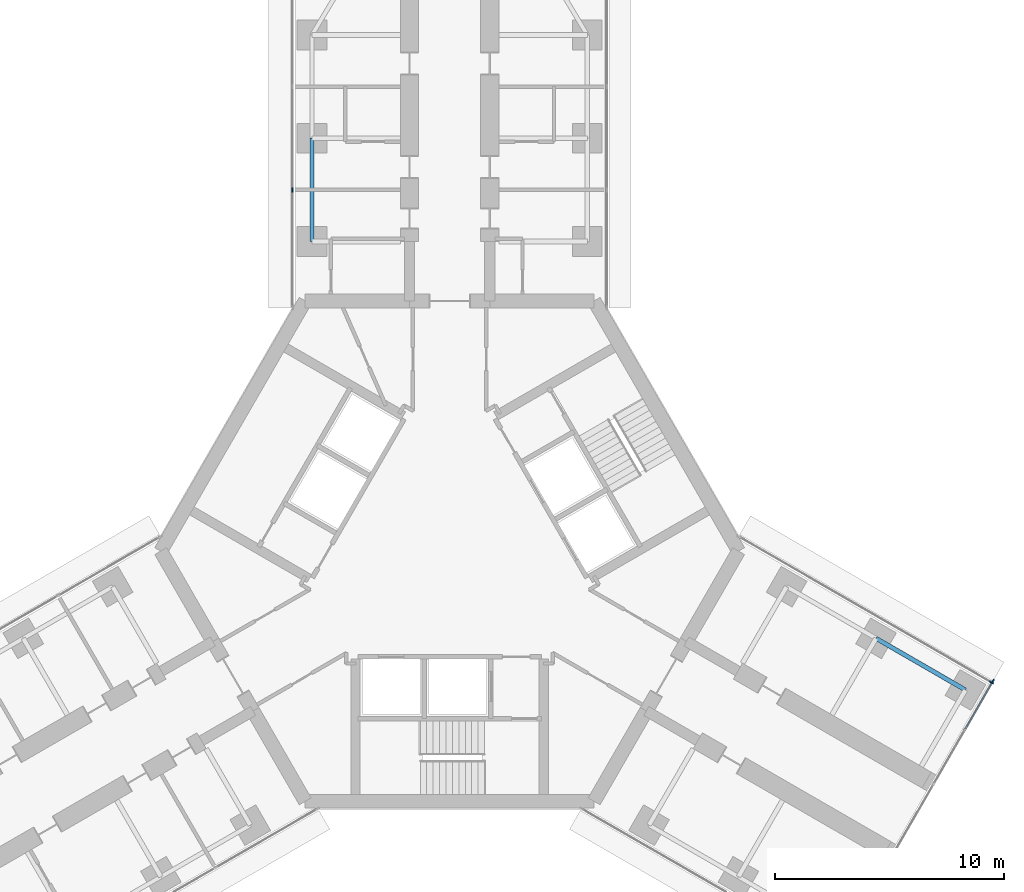
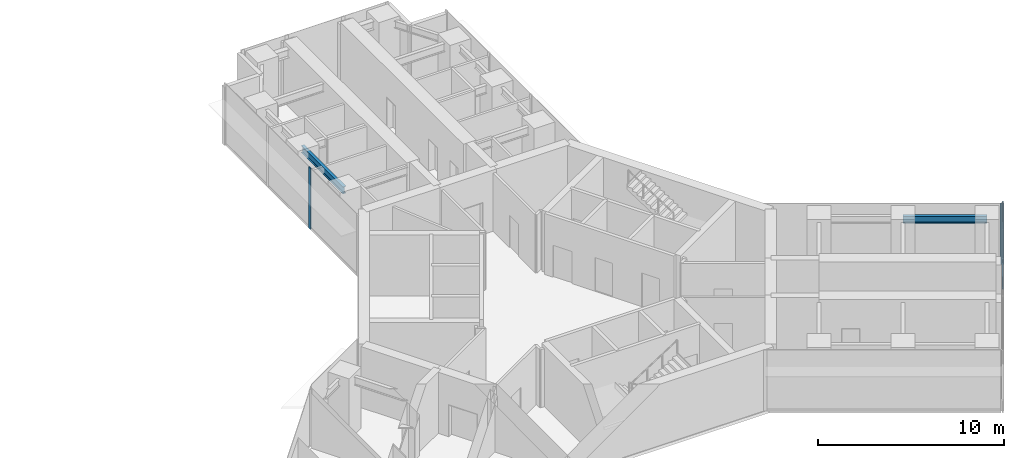
# One storey, part 11 of 22: 4 members, 2 beams, 3 elements without a shape of their own.
"""IFC4 building model written with IfcOpenShell, lengths in metres."""

from ifc_helpers import new_model, si_unit, direction, frame, origin, origin_2d, place, context, subcontext, project, spatial, rectangle, i_section, extrude, material, material_profile, profile_set, type_object, element, aggregate, save


model = new_model("IFC4")

# Units and contexts
model_context = context("Model", 3, precision=1e-05, world=origin(), true_north=direction((0.0, 1.0)))
body_context = subcontext(model_context, "Body", "Model", "MODEL_VIEW")
ifc_project = project(units=[si_unit("LENGTHUNIT", "METRE"), si_unit("AREAUNIT", "SQUARE_METRE"), si_unit("VOLUMEUNIT", "CUBIC_METRE"), si_unit("PLANEANGLEUNIT", "RADIAN"), si_unit("MASSUNIT", "GRAM", prefix="KILO")], contexts=[model_context])

# Site, building, storey
site_placement = place(None, origin())
site = spatial("IfcSite", under=ifc_project, at=site_placement, CompositionType="ELEMENT")
building_placement = place(site_placement, origin())
building = spatial("IfcBuilding", under=site, at=building_placement, Name="Upepo Twin Towers", CompositionType="ELEMENT")
storey_placement = place(building_placement, frame((0.0, 0.0, 129.5)))
storey = spatial("IfcBuildingStorey", under=building, at=storey_placement, Name="L31", CompositionType="ELEMENT", Elevation=129.5)

# Beams
ifc_material_1 = material(Name="Steel S355", Category="steel")
ifc_material_profile_1 = material_profile(ifc_material_1, i_section(OverallWidth=0.1904296875, OverallDepth=0.45703125, WebThickness=0.009033203125, FlangeThickness=0.014404296875, FilletRadius=0.01025390625, at=origin_2d()), Name="UB 457x191x74")
ifc_profile_set_1 = profile_set([ifc_material_profile_1], Name="Steel S355")
beam_type = type_object("IfcBeamType", Name="Beam UB 457x191x74", PredefinedType="BEAM", material=ifc_profile_set_1)
for number, where, z_axis, x_axis, name in (
    (1, (52.5, -4.5, 3.571533203125), (0.0, 1.0, 0.0), (-1.0, 0.0, 0.0), "T2 edge beam AL 13.5-18.0"),
    (2, (77.08837890625, -21.803955078125, 3.571533203125), (0.866031096941, -0.499990139034, 0.0), (0.499990139034, 0.866031096941, 0.0), "T2 edge beam CL 18.0-22.5"),
):
    element("IfcBeam", number, at=place(storey_placement, frame(where, z_axis=z_axis, x_axis=x_axis)), inside=storey, type_object=beam_type, Name=name, PredefinedType="BEAM", context=body_context, shape_type="SweptSolid", body=[
        extrude(i_section(OverallWidth=0.1904296875, OverallDepth=0.45703125, WebThickness=0.009033203125, FlangeThickness=0.014404296875, FilletRadius=0.01025390625, at=origin_2d()), origin(), (0.0, 0.0, 1.0), 4.5),
    ])

# Curtain wall, member
ifc_material_2 = material(Name="Aluminium and fritted glass", Category="aluminium")
curtain_wall_type = type_object("IfcCurtainWallType", Name="Tower curtain wall TW2, fritted glass", PredefinedType="NOTDEFINED", material=ifc_material_2)
curtain_wall_1_placement = place(storey_placement, origin())
curtain_wall_1 = element("IfcCurtainWall", 3, at=curtain_wall_1_placement, inside=storey, type_object=curtain_wall_type, Name="T2 L31 wing A flank L curtain wall", PredefinedType="NOTDEFINED")
ifc_material_3 = material(Name="Aluminium mullion", Category="aluminium")
ifc_material_profile_2 = material_profile(ifc_material_3, rectangle(XDim=0.06494140625, YDim=0.199951171875, at=origin_2d()), Name="MULLION 65x200")
ifc_profile_set_2 = profile_set([ifc_material_profile_2], Name="Aluminium mullion")
member_type_1 = type_object("IfcMemberType", Name="Mullion 65x200 TW2", PredefinedType="MULLION", material=ifc_profile_set_2)
member_1_placement = place(storey_placement, frame((51.64990234375, -2.25, 0.0), z_axis=(0.0, 0.0, 1.0), x_axis=(-1.0, 0.0, 0.0)))
member_1 = element("IfcMember", 4, at=member_1_placement, type_object=member_type_1, Name="T2 L31 wing A flank L curtain wall mullion 2", PredefinedType="MULLION", context=body_context, shape_type="SweptSolid", body=[
    extrude(rectangle(XDim=0.06494140625, YDim=0.199951171875, at=origin_2d()), origin(), (0.0, 0.0, 1.0), 4.0),
])
aggregate(curtain_wall_1, [member_1])

curtain_wall_2_placement = place(storey_placement, origin())
curtain_wall_2 = element("IfcCurtainWall", 5, at=curtain_wall_2_placement, inside=storey, type_object=curtain_wall_type, Name="T2 L31 wing C flank L curtain wall", PredefinedType="NOTDEFINED")
member_2_placement = place(storey_placement, frame((82.11865234375, -23.7265625, 0.0), z_axis=(0.0, 0.0, 1.0), x_axis=(0.50000000792, 0.866025399212, 0.0)))
member_2 = element("IfcMember", 6, at=member_2_placement, type_object=member_type_1, Name="T2 L31 wing C flank L curtain wall mullion 2", PredefinedType="MULLION", context=body_context, shape_type="SweptSolid", body=[
    extrude(rectangle(XDim=0.06494140625, YDim=0.199951171875, at=origin_2d()), origin(), (0.0, 0.0, 1.0), 4.0),
])
aggregate(curtain_wall_2, [member_2])

# Curtain wall, members
curtain_wall_3_placement = place(storey_placement, origin())
curtain_wall_3 = element("IfcCurtainWall", 7, at=curtain_wall_3_placement, inside=storey, type_object=curtain_wall_type, Name="T2 L31 wing C nose curtain wall", PredefinedType="NOTDEFINED")
member_3_placement = place(storey_placement, frame((82.180419921875, -23.684326171875, 0.0), z_axis=(0.0, 0.0, 1.0), x_axis=(-0.866025419745, 0.499999972355, 0.0)))
member_3 = element("IfcMember", 8, at=member_3_placement, type_object=member_type_1, Name="T2 L31 wing C nose curtain wall mullion 6", PredefinedType="MULLION", context=body_context, shape_type="SweptSolid", body=[
    extrude(rectangle(XDim=0.06494140625, YDim=0.199951171875, at=origin_2d()), origin(), (0.0, 0.0, 1.0), 4.0),
])
ifc_material_4 = material(Name="Aluminium transom", Category="aluminium")
ifc_material_profile_3 = material_profile(ifc_material_4, rectangle(XDim=0.06494140625, YDim=0.14990234375, at=origin_2d()), Name="TRANSOM 65x150")
ifc_profile_set_3 = profile_set([ifc_material_profile_3], Name="Aluminium transom")
member_type_2 = type_object("IfcMemberType", Name="Transom 65x150 TW2", PredefinedType="USERDEFINED", material=ifc_profile_set_3)
member_4_placement = place(storey_placement, frame((80.988037109375, -25.749755859375, 0.074951171875), z_axis=(0.50000093428, 0.866024864377, 0.0), x_axis=(-0.866024864377, 0.50000093428, 0.0)))
member_4 = element("IfcMember", 9, at=member_4_placement, type_object=member_type_2, Name="T2 L31 wing C nose curtain wall transom 5", ObjectType="TRANSOM", PredefinedType="USERDEFINED", context=body_context, shape_type="SweptSolid", body=[
    extrude(rectangle(XDim=0.06494140625, YDim=0.14990234375, at=origin_2d()), origin(), (0.0, 0.0, 1.0), 2.3525390625),
])
aggregate(curtain_wall_3, [member_3, member_4])

save(model, "model.ifc")
